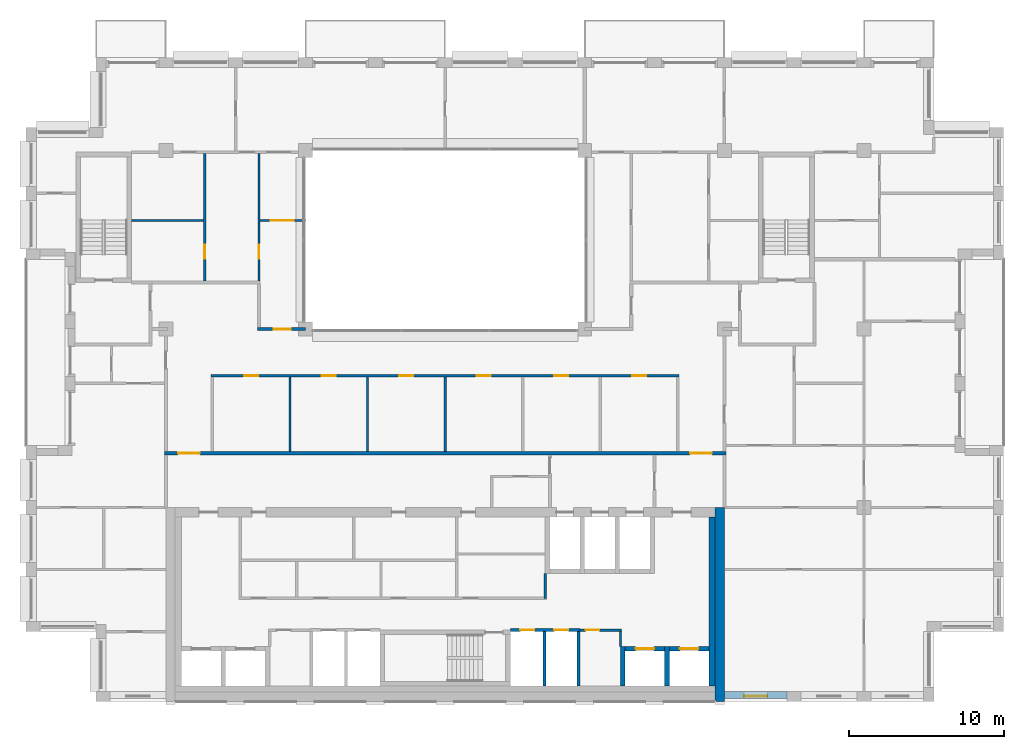
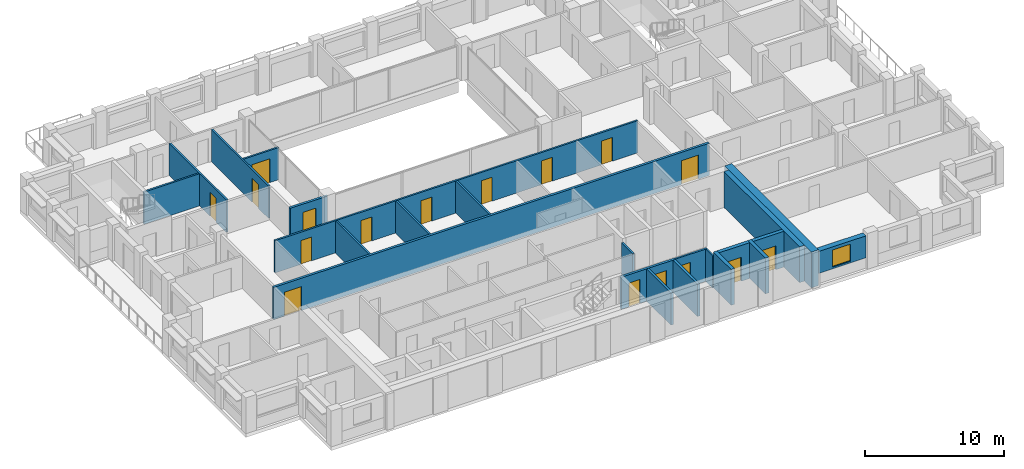
# One storey, part 10 of 15: 23 walls, 17 doors, 1 window, 18 openings.
"""IFC4 building model written with IfcOpenShell, lengths in metres."""

from ifc_helpers import new_model, si_unit, direction, frame, frame_2d, origin, place, context, subcontext, project, spatial, rectangle, extrude, material, layer, layer_set, type_object, element, fill, save


model = new_model("IFC4")

# Units and contexts
model_context = context("Model", 3, precision=1e-05, world=origin(), true_north=direction((0.0, 1.0)))
body_context = subcontext(model_context, "Body", "Model", "MODEL_VIEW")
ifc_project = project(units=[si_unit("LENGTHUNIT", "METRE"), si_unit("AREAUNIT", "SQUARE_METRE"), si_unit("VOLUMEUNIT", "CUBIC_METRE"), si_unit("PLANEANGLEUNIT", "RADIAN"), si_unit("MASSUNIT", "GRAM", prefix="KILO")], contexts=[model_context])

# Site, building, storey
site_placement = place(None, origin())
site = spatial("IfcSite", under=ifc_project, at=site_placement, CompositionType="ELEMENT")
building_placement = place(site_placement, origin())
building = spatial("IfcBuilding", under=site, at=building_placement, Name="Brigalow Station Residences", CompositionType="ELEMENT")
storey_placement = place(building_placement, frame((0.0, 0.0, 207.449951171875)))
storey = spatial("IfcBuildingStorey", under=building, at=storey_placement, Name="L59", CompositionType="ELEMENT", Elevation=207.449951171875)

# Wall, opening, window
ifc_material_1 = material(Name="Clay brick masonry", Category="masonry")
ifc_layer_1 = layer(ifc_material_1, 0.449951171875)
ifc_layer_set_1 = layer_set([ifc_layer_1], Name="BRICK INFILL WALL 450")
wall_type_1 = type_object("IfcWallType", Name="BRICK INFILL WALL 450", PredefinedType="SOLIDWALL", material=ifc_layer_set_1)
wall_1_placement = place(storey_placement, frame((54.0, 0.425048828125, 0.900146484375), z_axis=(0.0, 0.0, 1.0), x_axis=(1.0, 0.0, 0.0)))
wall_1 = element("IfcWall", 1, at=wall_1_placement, inside=storey, type_object=wall_type_1, Name="L59/ewall/W-L59-3", PredefinedType="SOLIDWALL", context=body_context, shape_type="SweptSolid", body=[
    extrude(rectangle(XDim=4.050048828125, YDim=0.449951171875, at=frame_2d((2.02490234375, 0.0))), origin(), (0.0, 0.0, 1.0), 1.929931640625),
])
opening_1_placement = place(wall_1_placement, frame((1.27490234375, 0.0, 0.14990234375)))
opening_1 = element("IfcOpeningElement", 2, at=opening_1_placement, cuts=wall_1, Name="Opening WT-1", PredefinedType="OPENING", context=body_context, shape_type="SweptSolid", body=[
    extrude(rectangle(XDim=1.5, YDim=1.5, at=frame_2d((0.75, 0.75))), frame((0.0, 0.23486328125, 0.0), z_axis=(0.0, -1.0, 0.0), x_axis=(1.0, 0.0, 0.0)), (0.0, 0.0, 1.0), 0.469970703125),
])
ifc_material_2 = material(Name="Anodised aluminium frame with double glazing", Category="aluminium")
window_type = type_object("IfcWindowType", Name="WINDOW 1500x1500", PartitioningType="SINGLE_PANEL", PredefinedType="WINDOW", material=ifc_material_2)
window_placement = place(opening_1_placement, origin())
window = element("IfcWindow", 3, at=window_placement, inside=storey, type_object=window_type, Name="L59/window/W-L59-3", OverallHeight=1.5, OverallWidth=1.5, PartitioningType="SINGLE_PANEL", PredefinedType="WINDOW", context=body_context, shape_type="SweptSolid", body=[
    extrude(rectangle(XDim=1.5, YDim=1.5, at=frame_2d((0.75, 0.75))), frame((0.0, -0.06494140625, 0.0), z_axis=(0.0, -1.0, 0.0), x_axis=(1.0, 0.0, 0.0)), (0.0, 0.0, 1.0), 0.06005859375),
])
fill(opening_1, window)

# Wall, opening, door
ifc_material_3 = material(Name="Concrete C50", Category="concrete")
ifc_layer_2 = layer(ifc_material_3, 0.300048828125)
ifc_layer_set_2 = layer_set([ifc_layer_2], Name="CORE SHEAR WALL 300 C50")
wall_type_2 = type_object("IfcWallType", Name="CORE SHEAR WALL 300 C50", PredefinedType="SHEAR", material=ifc_layer_set_2)
wall_2_placement = place(storey_placement, frame((47.60009765625, 3.39990234375, 0.0), z_axis=(0.0, 0.0, 1.0), x_axis=(1.0, 0.0, 0.0)))
wall_2 = element("IfcWall", 4, at=wall_2_placement, inside=storey, type_object=wall_type_2, Name="CORE WALL SH-C3-N L59", PredefinedType="SHEAR", context=body_context, shape_type="SweptSolid", body=[
    extrude(rectangle(XDim=2.5498046875, YDim=0.300048828125, at=frame_2d((1.27490234375, 0.0))), origin(), (0.0, 0.0, 1.0), 3.150146484375),
])
opening_2_placement = place(wall_2_placement, frame((0.675048828125, 0.0, 0.0)))
opening_2 = element("IfcOpeningElement", 5, at=opening_2_placement, cuts=wall_2, Name="Opening LD-LB3", PredefinedType="OPENING", context=body_context, shape_type="SweptSolid", body=[
    extrude(rectangle(XDim=1.199951171875, YDim=2.10009765625, at=frame_2d((0.60009765625, 1.050048828125))), frame((0.0, 0.16015625, 0.0), z_axis=(0.0, -1.0, 0.0), x_axis=(1.0, 0.0, 0.0)), (0.0, 0.0, 1.0), 0.320068359375),
])
ifc_material_4 = material(Name="Stainless steel sliding door leaves", Category="steel")
door_type_1 = type_object("IfcDoorType", Name="LIFT LANDING DOOR 1200 x 2100", OperationType="DOUBLE_DOOR_SLIDING", PredefinedType="DOOR", material=ifc_material_4)
door_1_placement = place(opening_2_placement, origin())
door_1 = element("IfcDoor", 6, at=door_1_placement, inside=storey, type_object=door_type_1, Name="LANDING DOOR LB3", OperationType="DOUBLE_DOOR_SLIDING", OverallHeight=2.10009765625, OverallWidth=1.199951171875, PredefinedType="DOOR", context=body_context, shape_type="SweptSolid", body=[
    extrude(rectangle(XDim=1.199951171875, YDim=2.10009765625, at=frame_2d((0.60009765625, 1.050048828125))), frame((0.0, 0.02490234375, 0.0), z_axis=(0.0, -1.0, 0.0), x_axis=(1.0, 0.0, 0.0)), (0.0, 0.0, 1.0), 0.050048828125),
])
fill(opening_2, door_1)

# Wall
wall_3_placement = place(storey_placement, frame((47.449951171875, 1.0, 0.0), z_axis=(0.0, 0.0, 1.0), x_axis=(0.0, 1.0, 0.0)))
element("IfcWall", 7, at=wall_3_placement, inside=storey, type_object=wall_type_2, Name="CORE WALL SH-C3-W L59", PredefinedType="SHEAR", context=body_context, shape_type="SweptSolid", body=[
    extrude(rectangle(XDim=2.550048828125, YDim=0.300048828125, at=frame_2d((1.27490234375, 0.0))), origin(), (0.0, 0.0, 1.0), 3.150146484375),
])

# Wall, opening, door
wall_4_placement = place(storey_placement, frame((50.449951171875, 3.39990234375, 0.0), z_axis=(0.0, 0.0, 1.0), x_axis=(1.0, 0.0, 0.0)))
wall_4 = element("IfcWall", 8, at=wall_4_placement, inside=storey, type_object=wall_type_2, Name="CORE WALL SH-C4-N L59", PredefinedType="SHEAR", context=body_context, shape_type="SweptSolid", body=[
    extrude(rectangle(XDim=2.550048828125, YDim=0.300048828125, at=frame_2d((1.27490234375, 0.0))), origin(), (0.0, 0.0, 1.0), 3.150146484375),
])
opening_3_placement = place(wall_4_placement, frame((0.675048828125, 0.0, 0.0)))
opening_3 = element("IfcOpeningElement", 9, at=opening_3_placement, cuts=wall_4, Name="Opening LD-LB4", PredefinedType="OPENING", context=body_context, shape_type="SweptSolid", body=[
    extrude(rectangle(XDim=1.199951171875, YDim=2.10009765625, at=frame_2d((0.60009765625, 1.050048828125))), frame((0.0, 0.16015625, 0.0), z_axis=(0.0, -1.0, 0.0), x_axis=(1.0, 0.0, 0.0)), (0.0, 0.0, 1.0), 0.320068359375),
])
door_2_placement = place(opening_3_placement, origin())
door_2 = element("IfcDoor", 10, at=door_2_placement, inside=storey, type_object=door_type_1, Name="LANDING DOOR LB4", OperationType="DOUBLE_DOOR_SLIDING", OverallHeight=2.10009765625, OverallWidth=1.199951171875, PredefinedType="DOOR", context=body_context, shape_type="SweptSolid", body=[
    extrude(rectangle(XDim=1.199951171875, YDim=2.10009765625, at=frame_2d((0.60009765625, 1.050048828125))), frame((0.0, 0.02490234375, 0.0), z_axis=(0.0, -1.0, 0.0), x_axis=(1.0, 0.0, 0.0)), (0.0, 0.0, 1.0), 0.050048828125),
])
fill(opening_3, door_2)

# Walls
wall_5_placement = place(storey_placement, frame((50.300048828125, 1.0, 0.0), z_axis=(0.0, 0.0, 1.0), x_axis=(0.0, 1.0, 0.0)))
element("IfcWall", 11, at=wall_5_placement, inside=storey, type_object=wall_type_2, Name="CORE WALL SH-C4-W L59", PredefinedType="SHEAR", context=body_context, shape_type="SweptSolid", body=[
    extrude(rectangle(XDim=2.550048828125, YDim=0.300048828125, at=frame_2d((1.27490234375, 0.0))), origin(), (0.0, 0.0, 1.0), 3.150146484375),
])
ifc_material_5 = material(Name="Concrete C50", Category="concrete")
ifc_layer_3 = layer(ifc_material_5, 0.39990234375)
ifc_layer_set_3 = layer_set([ifc_layer_3], Name="CORE SHEAR WALL 400 C50")
wall_type_3 = type_object("IfcWallType", Name="CORE SHEAR WALL 400 C50", PredefinedType="SHEAR", material=ifc_layer_set_3)
wall_6_placement = place(storey_placement, frame((53.199951171875, 1.0, 0.0), z_axis=(0.0, 0.0, 1.0), x_axis=(0.0, 1.0, 0.0)))
element("IfcWall", 12, at=wall_6_placement, inside=storey, type_object=wall_type_3, Name="CORE WALL LIN-E L59", PredefinedType="SHEAR", context=body_context, shape_type="SweptSolid", body=[
    extrude(rectangle(XDim=10.89990234375, YDim=0.39990234375, at=frame_2d((5.449951171875, 0.0))), origin(), (0.0, 0.0, 1.0), 3.150146484375),
])
ifc_material_6 = material(Name="Concrete C50", Category="concrete")
ifc_layer_4 = layer(ifc_material_6, 0.60009765625)
ifc_layer_set_4 = layer_set([ifc_layer_4], Name="CORE SHEAR WALL 600 C50")
wall_type_4 = type_object("IfcWallType", Name="CORE SHEAR WALL 600 C50", PredefinedType="SHEAR", material=ifc_layer_set_4)
wall_7_placement = place(storey_placement, frame((53.699951171875, 0.0, 0.0), z_axis=(0.0, 0.0, 1.0), x_axis=(0.0, 1.0, 0.0)))
element("IfcWall", 13, at=wall_7_placement, inside=storey, type_object=wall_type_4, Name="CORE WALL OUT-E L59", PredefinedType="SHEAR", context=body_context, shape_type="SweptSolid", body=[
    extrude(rectangle(XDim=12.5, YDim=0.60009765625, at=frame_2d((6.25, 0.0))), origin(), (0.0, 0.0, 1.0), 3.150146484375),
])

# Wall, openings, doors
ifc_material_7 = material(Name="Concrete blockwork", Category="masonry")
ifc_layer_5 = layer(ifc_material_7, 0.199951171875)
ifc_layer_set_5 = layer_set([ifc_layer_5], Name="FIRE RATED CORE PARTITION 200")
wall_type_5 = type_object("IfcWallType", Name="FIRE RATED CORE PARTITION 200", PredefinedType="PARTITIONING", material=ifc_layer_set_5)
wall_8_placement = place(storey_placement, frame((40.199951171875, 4.60009765625, 0.0), z_axis=(0.0, 0.0, 1.0), x_axis=(1.0, 0.0, 0.0)))
wall_8 = element("IfcWall", 14, at=wall_8_placement, inside=storey, type_object=wall_type_5, Name="PW-5018", PredefinedType="PARTITIONING", context=body_context, shape_type="SweptSolid", body=[
    extrude(rectangle(XDim=4.5, YDim=0.199951171875, at=frame_2d((2.25, 0.0))), origin(), (0.0, 0.0, 1.0), 2.830078125),
])
opening_4_placement = place(wall_8_placement, frame((0.64990234375, 0.0, 0.0)))
opening_4 = element("IfcOpeningElement", 15, at=opening_4_placement, cuts=wall_8, Name="Opening D-5009", PredefinedType="OPENING", context=body_context, shape_type="SweptSolid", body=[
    extrude(rectangle(XDim=0.89990234375, YDim=2.10009765625, at=frame_2d((0.449951171875, 1.050048828125))), frame((0.0, 0.10986328125, 0.0), z_axis=(0.0, -1.0, 0.0), x_axis=(1.0, 0.0, 0.0)), (0.0, 0.0, 1.0), 0.219970703125),
])
opening_5_placement = place(wall_8_placement, frame((2.85009765625, 0.0, 0.0)))
opening_5 = element("IfcOpeningElement", 16, at=opening_5_placement, cuts=wall_8, Name="Opening D-5010", PredefinedType="OPENING", context=body_context, shape_type="SweptSolid", body=[
    extrude(rectangle(XDim=0.89990234375, YDim=2.10009765625, at=frame_2d((0.449951171875, 1.050048828125))), frame((0.0, 0.10986328125, 0.0), z_axis=(0.0, -1.0, 0.0), x_axis=(1.0, 0.0, 0.0)), (0.0, 0.0, 1.0), 0.219970703125),
])
ifc_material_8 = material(Name="Steel fire door leaf in steel frame", Category="steel")
door_type_2 = type_object("IfcDoorType", Name="RISER ACCESS DOOR 900 x 2100 FD120", OperationType="SINGLE_SWING_LEFT", PredefinedType="DOOR", material=ifc_material_8)
door_3_placement = place(opening_4_placement, frame((0.89990234375, 0.0, 0.0), z_axis=(0.0, 0.0, 1.0), x_axis=(-1.0, 0.0, 0.0)))
door_3 = element("IfcDoor", 17, at=door_3_placement, inside=storey, type_object=door_type_2, Name="D-5009", OperationType="SINGLE_SWING_LEFT", OverallHeight=2.10009765625, OverallWidth=0.89990234375, PredefinedType="DOOR", context=body_context, shape_type="SweptSolid", body=[
    extrude(rectangle(XDim=0.89990234375, YDim=2.10009765625, at=frame_2d((0.449951171875, 1.050048828125))), frame((0.0, 0.02490234375, 0.0), z_axis=(0.0, -1.0, 0.0), x_axis=(1.0, 0.0, 0.0)), (0.0, 0.0, 1.0), 0.050048828125),
])
fill(opening_4, door_3)
door_4_placement = place(opening_5_placement, frame((0.89990234375, 0.0, 0.0), z_axis=(0.0, 0.0, 1.0), x_axis=(-1.0, 0.0, 0.0)))
door_4 = element("IfcDoor", 18, at=door_4_placement, inside=storey, type_object=door_type_2, Name="D-5010", OperationType="SINGLE_SWING_LEFT", OverallHeight=2.10009765625, OverallWidth=0.89990234375, PredefinedType="DOOR", context=body_context, shape_type="SweptSolid", body=[
    extrude(rectangle(XDim=0.89990234375, YDim=2.10009765625, at=frame_2d((0.449951171875, 1.050048828125))), frame((0.0, 0.02490234375, 0.0), z_axis=(0.0, -1.0, 0.0), x_axis=(1.0, 0.0, 0.0)), (0.0, 0.0, 1.0), 0.050048828125),
])
fill(opening_5, door_4)

# Walls
for number, where, z_axis, x_axis, name in (
    (19, (42.39990234375, 1.0, 0.0), (0.0, 0.0, 1.0), (0.0, 1.0, 0.0), "PW-5007"),
    (20, (44.60009765625, 1.0, 0.0), (0.0, 0.0, 1.0), (0.0, 1.0, 0.0), "PW-5008"),
):
    element("IfcWall", number, at=place(storey_placement, frame(where, z_axis=z_axis, x_axis=x_axis)), inside=storey, type_object=wall_type_5, Name=name, PredefinedType="PARTITIONING", context=body_context, shape_type="SweptSolid", body=[
        extrude(rectangle(XDim=3.5, YDim=0.199951171875, at=frame_2d((1.75, 0.0))), origin(), (0.0, 0.0, 1.0), 2.830078125),
    ])

# Wall, openings, doors
ifc_material_9 = material(Name="Plasterboard on steel stud partition", Category="steel")
ifc_layer_6 = layer(ifc_material_9, 0.14990234375)
ifc_layer_set_6 = layer_set([ifc_layer_6], Name="FLAT PARTITION 150")
wall_type_6 = type_object("IfcWallType", Name="FLAT PARTITION 150", PredefinedType="PARTITIONING", material=ifc_layer_set_6)
wall_9_placement = place(storey_placement, frame((20.925048828125, 21.0, 0.0), z_axis=(0.0, 0.0, 1.0), x_axis=(1.0, 0.0, 0.0)))
wall_9 = element("IfcWall", 21, at=wall_9_placement, inside=storey, type_object=wall_type_6, Name="PW-4B05", PredefinedType="PARTITIONING", context=body_context, shape_type="SweptSolid", body=[
    extrude(rectangle(XDim=30.14990234375, YDim=0.14990234375, at=frame_2d((15.074951171875, 0.0))), origin(), (0.0, 0.0, 1.0), 2.830078125),
])
opening_6_placement = place(wall_9_placement, frame((2.125, 0.0, 0.0)))
opening_6 = element("IfcOpeningElement", 22, at=opening_6_placement, cuts=wall_9, Name="Opening D-4B42", PredefinedType="OPENING", context=body_context, shape_type="SweptSolid", body=[
    extrude(rectangle(XDim=0.89990234375, YDim=2.10009765625, at=frame_2d((0.449951171875, 1.050048828125))), frame((0.0, 0.0849609375, 0.0), z_axis=(0.0, -1.0, 0.0), x_axis=(1.0, 0.0, 0.0)), (0.0, 0.0, 1.0), 0.169921875),
])
opening_7_placement = place(wall_9_placement, frame((7.125, 0.0, 0.0)))
opening_7 = element("IfcOpeningElement", 23, at=opening_7_placement, cuts=wall_9, Name="Opening D-4B43", PredefinedType="OPENING", context=body_context, shape_type="SweptSolid", body=[
    extrude(rectangle(XDim=0.89990234375, YDim=2.10009765625, at=frame_2d((0.449951171875, 1.050048828125))), frame((0.0, 0.0849609375, 0.0), z_axis=(0.0, -1.0, 0.0), x_axis=(1.0, 0.0, 0.0)), (0.0, 0.0, 1.0), 0.169921875),
])
opening_8_placement = place(wall_9_placement, frame((12.125, 0.0, 0.0)))
opening_8 = element("IfcOpeningElement", 24, at=opening_8_placement, cuts=wall_9, Name="Opening D-4B44", PredefinedType="OPENING", context=body_context, shape_type="SweptSolid", body=[
    extrude(rectangle(XDim=0.89990234375, YDim=2.10009765625, at=frame_2d((0.449951171875, 1.050048828125))), frame((0.0, 0.0849609375, 0.0), z_axis=(0.0, -1.0, 0.0), x_axis=(1.0, 0.0, 0.0)), (0.0, 0.0, 1.0), 0.169921875),
])
opening_9_placement = place(wall_9_placement, frame((17.125, 0.0, 0.0)))
opening_9 = element("IfcOpeningElement", 25, at=opening_9_placement, cuts=wall_9, Name="Opening D-4B45", PredefinedType="OPENING", context=body_context, shape_type="SweptSolid", body=[
    extrude(rectangle(XDim=0.89990234375, YDim=2.10009765625, at=frame_2d((0.449951171875, 1.050048828125))), frame((0.0, 0.0849609375, 0.0), z_axis=(0.0, -1.0, 0.0), x_axis=(1.0, 0.0, 0.0)), (0.0, 0.0, 1.0), 0.169921875),
])
opening_10_placement = place(wall_9_placement, frame((22.125, 0.0, 0.0)))
opening_10 = element("IfcOpeningElement", 26, at=opening_10_placement, cuts=wall_9, Name="Opening D-4B46", PredefinedType="OPENING", context=body_context, shape_type="SweptSolid", body=[
    extrude(rectangle(XDim=0.89990234375, YDim=2.10009765625, at=frame_2d((0.449951171875, 1.050048828125))), frame((0.0, 0.0849609375, 0.0), z_axis=(0.0, -1.0, 0.0), x_axis=(1.0, 0.0, 0.0)), (0.0, 0.0, 1.0), 0.169921875),
])
opening_11_placement = place(wall_9_placement, frame((27.125, 0.0, 0.0)))
opening_11 = element("IfcOpeningElement", 27, at=opening_11_placement, cuts=wall_9, Name="Opening D-4B47", PredefinedType="OPENING", context=body_context, shape_type="SweptSolid", body=[
    extrude(rectangle(XDim=0.89990234375, YDim=2.10009765625, at=frame_2d((0.449951171875, 1.050048828125))), frame((0.0, 0.0849609375, 0.0), z_axis=(0.0, -1.0, 0.0), x_axis=(1.0, 0.0, 0.0)), (0.0, 0.0, 1.0), 0.169921875),
])
ifc_material_10 = material(Name="Solid-core timber door leaf", Category="wood")
door_type_3 = type_object("IfcDoorType", Name="INTERNAL DOOR 900 x 2100", OperationType="SINGLE_SWING_LEFT", PredefinedType="DOOR", material=ifc_material_10)
door_5_placement = place(opening_6_placement, frame((0.89990234375, 0.0, 0.0), z_axis=(0.0, 0.0, 1.0), x_axis=(-1.0, 0.0, 0.0)))
door_5 = element("IfcDoor", 28, at=door_5_placement, inside=storey, type_object=door_type_3, Name="D-4B42", OperationType="SINGLE_SWING_LEFT", OverallHeight=2.10009765625, OverallWidth=0.89990234375, PredefinedType="DOOR", context=body_context, shape_type="SweptSolid", body=[
    extrude(rectangle(XDim=0.89990234375, YDim=2.10009765625, at=frame_2d((0.449951171875, 1.050048828125))), frame((0.0, 0.02490234375, 0.0), z_axis=(0.0, -1.0, 0.0), x_axis=(1.0, 0.0, 0.0)), (0.0, 0.0, 1.0), 0.050048828125),
])
fill(opening_6, door_5)
door_6_placement = place(opening_7_placement, frame((0.89990234375, 0.0, 0.0), z_axis=(0.0, 0.0, 1.0), x_axis=(-1.0, 0.0, 0.0)))
door_6 = element("IfcDoor", 29, at=door_6_placement, inside=storey, type_object=door_type_3, Name="D-4B43", OperationType="SINGLE_SWING_LEFT", OverallHeight=2.10009765625, OverallWidth=0.89990234375, PredefinedType="DOOR", context=body_context, shape_type="SweptSolid", body=[
    extrude(rectangle(XDim=0.89990234375, YDim=2.10009765625, at=frame_2d((0.449951171875, 1.050048828125))), frame((0.0, 0.02490234375, 0.0), z_axis=(0.0, -1.0, 0.0), x_axis=(1.0, 0.0, 0.0)), (0.0, 0.0, 1.0), 0.050048828125),
])
fill(opening_7, door_6)
door_7_placement = place(opening_8_placement, frame((0.89990234375, 0.0, 0.0), z_axis=(0.0, 0.0, 1.0), x_axis=(-1.0, 0.0, 0.0)))
door_7 = element("IfcDoor", 30, at=door_7_placement, inside=storey, type_object=door_type_3, Name="D-4B44", OperationType="SINGLE_SWING_LEFT", OverallHeight=2.10009765625, OverallWidth=0.89990234375, PredefinedType="DOOR", context=body_context, shape_type="SweptSolid", body=[
    extrude(rectangle(XDim=0.89990234375, YDim=2.10009765625, at=frame_2d((0.449951171875, 1.050048828125))), frame((0.0, 0.02490234375, 0.0), z_axis=(0.0, -1.0, 0.0), x_axis=(1.0, 0.0, 0.0)), (0.0, 0.0, 1.0), 0.050048828125),
])
fill(opening_8, door_7)
door_8_placement = place(opening_9_placement, frame((0.89990234375, 0.0, 0.0), z_axis=(0.0, 0.0, 1.0), x_axis=(-1.0, 0.0, 0.0)))
door_8 = element("IfcDoor", 31, at=door_8_placement, inside=storey, type_object=door_type_3, Name="D-4B45", OperationType="SINGLE_SWING_RIGHT", OverallHeight=2.10009765625, OverallWidth=0.89990234375, PredefinedType="DOOR", context=body_context, shape_type="SweptSolid", body=[
    extrude(rectangle(XDim=0.89990234375, YDim=2.10009765625, at=frame_2d((0.449951171875, 1.050048828125))), frame((0.0, 0.02490234375, 0.0), z_axis=(0.0, -1.0, 0.0), x_axis=(1.0, 0.0, 0.0)), (0.0, 0.0, 1.0), 0.050048828125),
])
fill(opening_9, door_8)
door_9_placement = place(opening_10_placement, frame((0.89990234375, 0.0, 0.0), z_axis=(0.0, 0.0, 1.0), x_axis=(-1.0, 0.0, 0.0)))
door_9 = element("IfcDoor", 32, at=door_9_placement, inside=storey, type_object=door_type_3, Name="D-4B46", OperationType="SINGLE_SWING_RIGHT", OverallHeight=2.10009765625, OverallWidth=0.89990234375, PredefinedType="DOOR", context=body_context, shape_type="SweptSolid", body=[
    extrude(rectangle(XDim=0.89990234375, YDim=2.10009765625, at=frame_2d((0.449951171875, 1.050048828125))), frame((0.0, 0.02490234375, 0.0), z_axis=(0.0, -1.0, 0.0), x_axis=(1.0, 0.0, 0.0)), (0.0, 0.0, 1.0), 0.050048828125),
])
fill(opening_10, door_9)
door_10_placement = place(opening_11_placement, frame((0.89990234375, 0.0, 0.0), z_axis=(0.0, 0.0, 1.0), x_axis=(-1.0, 0.0, 0.0)))
door_10 = element("IfcDoor", 33, at=door_10_placement, inside=storey, type_object=door_type_3, Name="D-4B47", OperationType="SINGLE_SWING_RIGHT", OverallHeight=2.10009765625, OverallWidth=0.89990234375, PredefinedType="DOOR", context=body_context, shape_type="SweptSolid", body=[
    extrude(rectangle(XDim=0.89990234375, YDim=2.10009765625, at=frame_2d((0.449951171875, 1.050048828125))), frame((0.0, 0.02490234375, 0.0), z_axis=(0.0, -1.0, 0.0), x_axis=(1.0, 0.0, 0.0)), (0.0, 0.0, 1.0), 0.050048828125),
])
fill(opening_11, door_10)

# Wall
wall_10_placement = place(storey_placement, frame((15.800048828125, 31.0, 0.0), z_axis=(0.0, 0.0, 1.0), x_axis=(1.0, 0.0, 0.0)))
element("IfcWall", 34, at=wall_10_placement, inside=storey, type_object=wall_type_6, Name="PW-4B15", PredefinedType="PARTITIONING", context=body_context, shape_type="SweptSolid", body=[
    extrude(rectangle(XDim=4.625, YDim=0.14990234375, at=frame_2d((2.3125, 0.0))), origin(), (0.0, 0.0, 1.0), 2.830078125),
])

# Wall, opening, door
wall_11_placement = place(storey_placement, frame((24.074951171875, 31.0, 0.0), z_axis=(0.0, 0.0, 1.0), x_axis=(1.0, 0.0, 0.0)))
wall_11 = element("IfcWall", 35, at=wall_11_placement, inside=storey, type_object=wall_type_6, Name="PW-4B16", PredefinedType="PARTITIONING", context=body_context, shape_type="SweptSolid", body=[
    extrude(rectangle(XDim=2.925048828125, YDim=0.14990234375, at=frame_2d((1.46240234375, 0.0))), origin(), (0.0, 0.0, 1.0), 2.830078125),
])
opening_12_placement = place(wall_11_placement, frame((0.675048828125, 0.0, 0.0)))
opening_12 = element("IfcOpeningElement", 36, at=opening_12_placement, cuts=wall_11, Name="Opening D-4B11", PredefinedType="OPENING", context=body_context, shape_type="SweptSolid", body=[
    extrude(rectangle(XDim=1.5, YDim=2.10009765625, at=frame_2d((0.75, 1.050048828125))), frame((0.0, 0.0849609375, 0.0), z_axis=(0.0, -1.0, 0.0), x_axis=(1.0, 0.0, 0.0)), (0.0, 0.0, 1.0), 0.169921875),
])
ifc_material_11 = material(Name="Solid-core timber door leaf", Category="wood")
door_type_4 = type_object("IfcDoorType", Name="INTERNAL DOUBLE DOOR 1500 x 2100", OperationType="DOUBLE_DOOR_SINGLE_SWING", PredefinedType="DOOR", material=ifc_material_11)
door_11_placement = place(opening_12_placement, frame((1.5, 0.0, 0.0), z_axis=(0.0, 0.0, 1.0), x_axis=(-1.0, 0.0, 0.0)))
door_11 = element("IfcDoor", 37, at=door_11_placement, inside=storey, type_object=door_type_4, Name="D-4B11", OperationType="DOUBLE_DOOR_SINGLE_SWING", OverallHeight=2.10009765625, OverallWidth=1.5, PredefinedType="DOOR", context=body_context, shape_type="SweptSolid", body=[
    extrude(rectangle(XDim=1.5, YDim=2.10009765625, at=frame_2d((0.75, 1.050048828125))), frame((0.0, 0.02490234375, 0.0), z_axis=(0.0, -1.0, 0.0), x_axis=(1.0, 0.0, 0.0)), (0.0, 0.0, 1.0), 0.050048828125),
])
fill(opening_12, door_11)

wall_12_placement = place(storey_placement, frame((24.0, 27.10009765625, 0.0), z_axis=(0.0, 0.0, 1.0), x_axis=(0.0, 1.0, 0.0)))
wall_12 = element("IfcWall", 38, at=wall_12_placement, inside=storey, type_object=wall_type_6, Name="PW-4B33", PredefinedType="PARTITIONING", context=body_context, shape_type="SweptSolid", body=[
    extrude(rectangle(XDim=8.224853515625, YDim=0.14990234375, at=frame_2d((4.1123046875, 0.0))), origin(), (0.0, 0.0, 1.0), 2.830078125),
])
opening_13_placement = place(wall_12_placement, frame((1.449951171875, 0.0, 0.0)))
opening_13 = element("IfcOpeningElement", 39, at=opening_13_placement, cuts=wall_12, Name="Opening D-4B12", PredefinedType="OPENING", context=body_context, shape_type="SweptSolid", body=[
    extrude(rectangle(XDim=0.89990234375, YDim=2.10009765625, at=frame_2d((0.449951171875, 1.050048828125))), frame((0.0, 0.0849609375, 0.0), z_axis=(0.0, -1.0, 0.0), x_axis=(1.0, 0.0, 0.0)), (0.0, 0.0, 1.0), 0.169921875),
])
door_12_placement = place(opening_13_placement, frame((0.89990234375, 0.0, 0.0), z_axis=(0.0, 0.0, 1.0), x_axis=(-1.0, 0.0, 0.0)))
door_12 = element("IfcDoor", 40, at=door_12_placement, inside=storey, type_object=door_type_3, Name="D-4B12", OperationType="SINGLE_SWING_LEFT", OverallHeight=2.10009765625, OverallWidth=0.89990234375, PredefinedType="DOOR", context=body_context, shape_type="SweptSolid", body=[
    extrude(rectangle(XDim=0.89990234375, YDim=2.10009765625, at=frame_2d((0.449951171875, 1.050048828125))), frame((0.0, 0.02490234375, 0.0), z_axis=(0.0, -1.0, 0.0), x_axis=(1.0, 0.0, 0.0)), (0.0, 0.0, 1.0), 0.050048828125),
])
fill(opening_13, door_12)

wall_13_placement = place(storey_placement, frame((20.5, 27.10009765625, 0.0), z_axis=(0.0, 0.0, 1.0), x_axis=(0.0, 1.0, 0.0)))
wall_13 = element("IfcWall", 41, at=wall_13_placement, inside=storey, type_object=wall_type_6, Name="PW-4B39", PredefinedType="PARTITIONING", context=body_context, shape_type="SweptSolid", body=[
    extrude(rectangle(XDim=8.224853515625, YDim=0.14990234375, at=frame_2d((4.1123046875, 0.0))), origin(), (0.0, 0.0, 1.0), 2.830078125),
])
opening_14_placement = place(wall_13_placement, frame((1.449951171875, 0.0, 0.0)))
opening_14 = element("IfcOpeningElement", 42, at=opening_14_placement, cuts=wall_13, Name="Opening D-4B13", PredefinedType="OPENING", context=body_context, shape_type="SweptSolid", body=[
    extrude(rectangle(XDim=0.89990234375, YDim=2.10009765625, at=frame_2d((0.449951171875, 1.050048828125))), frame((0.0, 0.0849609375, 0.0), z_axis=(0.0, -1.0, 0.0), x_axis=(1.0, 0.0, 0.0)), (0.0, 0.0, 1.0), 0.169921875),
])
door_13_placement = place(opening_14_placement, origin())
door_13 = element("IfcDoor", 43, at=door_13_placement, inside=storey, type_object=door_type_3, Name="D-4B13", OperationType="SINGLE_SWING_LEFT", OverallHeight=2.10009765625, OverallWidth=0.89990234375, PredefinedType="DOOR", context=body_context, shape_type="SweptSolid", body=[
    extrude(rectangle(XDim=0.89990234375, YDim=2.10009765625, at=frame_2d((0.449951171875, 1.050048828125))), frame((0.0, 0.02490234375, 0.0), z_axis=(0.0, -1.0, 0.0), x_axis=(1.0, 0.0, 0.0)), (0.0, 0.0, 1.0), 0.050048828125),
])
fill(opening_14, door_13)

# Walls
for number, where, z_axis, x_axis, name in (
    (44, (36.0, 16.10009765625, 0.0), (0.0, 0.0, 1.0), (0.0, 1.0, 0.0), "PW-4B41"),
    (45, (26.0, 16.10009765625, 0.0), (0.0, 0.0, 1.0), (0.0, 1.0, 0.0), "PW-4B52"),
    (46, (31.0, 16.10009765625, 0.0), (0.0, 0.0, 1.0), (0.0, 1.0, 0.0), "PW-4B53"),
):
    element("IfcWall", number, at=place(storey_placement, frame(where, z_axis=z_axis, x_axis=x_axis)), inside=storey, type_object=wall_type_6, Name=name, PredefinedType="PARTITIONING", context=body_context, shape_type="SweptSolid", body=[
        extrude(rectangle(XDim=4.824951171875, YDim=0.14990234375, at=frame_2d((2.41259765625, 0.0))), origin(), (0.0, 0.0, 1.0), 2.830078125),
    ])

# Wall, opening, door
ifc_material_12 = material(Name="Plasterboard on steel stud partition", Category="steel")
ifc_layer_7 = layer(ifc_material_12, 0.199951171875)
ifc_layer_set_7 = layer_set([ifc_layer_7], Name="PARTY AND CORRIDOR WALL 200")
wall_type_7 = type_object("IfcWallType", Name="PARTY AND CORRIDOR WALL 200", PredefinedType="PARTITIONING", material=ifc_layer_set_7)
wall_14_placement = place(storey_placement, frame((23.89990234375, 24.0, 0.0), z_axis=(0.0, 0.0, 1.0), x_axis=(1.0, 0.0, 0.0)))
wall_14 = element("IfcWall", 47, at=wall_14_placement, inside=storey, type_object=wall_type_7, Name="PW-4B02", PredefinedType="PARTITIONING", context=body_context, shape_type="SweptSolid", body=[
    extrude(rectangle(XDim=3.10009765625, YDim=0.199951171875, at=frame_2d((1.550048828125, 0.0))), origin(), (0.0, 0.0, 1.0), 2.830078125),
])
opening_15_placement = place(wall_14_placement, frame((1.050048828125, 0.0, 0.0)))
opening_15 = element("IfcOpeningElement", 48, at=opening_15_placement, cuts=wall_14, Name="Opening D-4B10", PredefinedType="OPENING", context=body_context, shape_type="SweptSolid", body=[
    extrude(rectangle(XDim=1.10009765625, YDim=2.10009765625, at=frame_2d((0.550048828125, 1.050048828125))), frame((0.0, 0.10986328125, 0.0), z_axis=(0.0, -1.0, 0.0), x_axis=(1.0, 0.0, 0.0)), (0.0, 0.0, 1.0), 0.219970703125),
])
ifc_material_13 = material(Name="Solid-core timber door leaf", Category="wood")
door_type_5 = type_object("IfcDoorType", Name="FLAT ENTRANCE DOOR 1100 x 2100 FRL -/60/30", OperationType="SINGLE_SWING_LEFT", PredefinedType="DOOR", material=ifc_material_13)
door_14_placement = place(opening_15_placement, origin())
door_14 = element("IfcDoor", 49, at=door_14_placement, inside=storey, type_object=door_type_5, Name="D-4B10", OperationType="SINGLE_SWING_LEFT", OverallHeight=2.10009765625, OverallWidth=1.10009765625, PredefinedType="DOOR", context=body_context, shape_type="SweptSolid", body=[
    extrude(rectangle(XDim=1.10009765625, YDim=2.10009765625, at=frame_2d((0.550048828125, 1.050048828125))), frame((0.0, 0.02490234375, 0.0), z_axis=(0.0, -1.0, 0.0), x_axis=(1.0, 0.0, 0.0)), (0.0, 0.0, 1.0), 0.050048828125),
])
fill(opening_15, door_14)

# Wall, openings, doors
wall_15_placement = place(storey_placement, frame((17.89990234375, 16.0, 0.0), z_axis=(0.0, 0.0, 1.0), x_axis=(1.0, 0.0, 0.0)))
wall_15 = element("IfcWall", 50, at=wall_15_placement, inside=storey, type_object=wall_type_7, Name="PW-4B27", PredefinedType="PARTITIONING", context=body_context, shape_type="SweptSolid", body=[
    extrude(rectangle(XDim=36.2001953125, YDim=0.199951171875, at=frame_2d((18.10009765625, 0.0))), origin(), (0.0, 0.0, 1.0), 2.830078125),
])
opening_16_placement = place(wall_15_placement, frame((0.89990234375, 0.0, 0.0)))
opening_16 = element("IfcOpeningElement", 51, at=opening_16_placement, cuts=wall_15, Name="Opening D-4B01", PredefinedType="OPENING", context=body_context, shape_type="SweptSolid", body=[
    extrude(rectangle(XDim=1.39990234375, YDim=2.10009765625, at=frame_2d((0.699951171875, 1.050048828125))), frame((0.0, 0.10986328125, 0.0), z_axis=(0.0, -1.0, 0.0), x_axis=(1.0, 0.0, 0.0)), (0.0, 0.0, 1.0), 0.219970703125),
])
opening_17_placement = place(wall_15_placement, frame((33.89990234375, 0.0, 0.0)))
opening_17 = element("IfcOpeningElement", 52, at=opening_17_placement, cuts=wall_15, Name="Opening D-4B02", PredefinedType="OPENING", context=body_context, shape_type="SweptSolid", body=[
    extrude(rectangle(XDim=1.39990234375, YDim=2.10009765625, at=frame_2d((0.699951171875, 1.050048828125))), frame((0.0, 0.10986328125, 0.0), z_axis=(0.0, -1.0, 0.0), x_axis=(1.0, 0.0, 0.0)), (0.0, 0.0, 1.0), 0.219970703125),
])
ifc_material_14 = material(Name="Solid-core timber door leaf", Category="wood")
door_type_6 = type_object("IfcDoorType", Name="CORRIDOR FIRE DOOR 1400 x 2100 FRL -/60/30", OperationType="DOUBLE_DOOR_SINGLE_SWING", PredefinedType="DOOR", material=ifc_material_14)
door_15_placement = place(opening_16_placement, frame((1.39990234375, 0.0, 0.0), z_axis=(0.0, 0.0, 1.0), x_axis=(-1.0, 0.0, 0.0)))
door_15 = element("IfcDoor", 53, at=door_15_placement, inside=storey, type_object=door_type_6, Name="D-4B01", OperationType="DOUBLE_DOOR_SINGLE_SWING", OverallHeight=2.10009765625, OverallWidth=1.39990234375, PredefinedType="DOOR", context=body_context, shape_type="SweptSolid", body=[
    extrude(rectangle(XDim=1.39990234375, YDim=2.10009765625, at=frame_2d((0.699951171875, 1.050048828125))), frame((0.0, 0.02490234375, 0.0), z_axis=(0.0, -1.0, 0.0), x_axis=(1.0, 0.0, 0.0)), (0.0, 0.0, 1.0), 0.050048828125),
])
fill(opening_16, door_15)
door_16_placement = place(opening_17_placement, frame((1.39990234375, 0.0, 0.0), z_axis=(0.0, 0.0, 1.0), x_axis=(-1.0, 0.0, 0.0)))
door_16 = element("IfcDoor", 54, at=door_16_placement, inside=storey, type_object=door_type_6, Name="D-4B02", OperationType="DOUBLE_DOOR_SINGLE_SWING", OverallHeight=2.10009765625, OverallWidth=1.39990234375, PredefinedType="DOOR", context=body_context, shape_type="SweptSolid", body=[
    extrude(rectangle(XDim=1.39990234375, YDim=2.10009765625, at=frame_2d((0.699951171875, 1.050048828125))), frame((0.0, 0.02490234375, 0.0), z_axis=(0.0, -1.0, 0.0), x_axis=(1.0, 0.0, 0.0)), (0.0, 0.0, 1.0), 0.050048828125),
])
fill(opening_17, door_16)

# Wall, opening, door
ifc_material_15 = material(Name="Plasterboard on steel studs", Category="steel")
ifc_layer_8 = layer(ifc_material_15, 0.14990234375)
ifc_layer_set_8 = layer_set([ifc_layer_8], Name="SERVICE ROOM PARTITION 150")
wall_type_8 = type_object("IfcWallType", Name="SERVICE ROOM PARTITION 150", PredefinedType="PARTITIONING", material=ifc_layer_set_8)
wall_16_placement = place(storey_placement, frame((44.699951171875, 4.60009765625, 0.0), z_axis=(0.0, 0.0, 1.0), x_axis=(1.0, 0.0, 0.0)))
wall_16 = element("IfcWall", 55, at=wall_16_placement, inside=storey, type_object=wall_type_8, Name="PW-5156", PredefinedType="PARTITIONING", context=body_context, shape_type="SweptSolid", body=[
    extrude(rectangle(XDim=2.675048828125, YDim=0.14990234375, at=frame_2d((1.33740234375, 0.0))), origin(), (0.0, 0.0, 1.0), 2.830078125),
])
opening_18_placement = place(wall_16_placement, frame((0.35009765625, 0.0, 0.0)))
opening_18 = element("IfcOpeningElement", 56, at=opening_18_placement, cuts=wall_16, Name="Opening D-5026", PredefinedType="OPENING", context=body_context, shape_type="SweptSolid", body=[
    extrude(rectangle(XDim=0.89990234375, YDim=2.10009765625, at=frame_2d((0.449951171875, 1.050048828125))), frame((0.0, 0.0849609375, 0.0), z_axis=(0.0, -1.0, 0.0), x_axis=(1.0, 0.0, 0.0)), (0.0, 0.0, 1.0), 0.169921875),
])
ifc_material_16 = material(Name="Steel door leaf in steel frame", Category="steel")
door_type_7 = type_object("IfcDoorType", Name="SERVICE ROOM DOOR 900 x 2100 FD60", OperationType="SINGLE_SWING_LEFT", PredefinedType="DOOR", material=ifc_material_16)
door_17_placement = place(opening_18_placement, frame((0.89990234375, 0.0, 0.0), z_axis=(0.0, 0.0, 1.0), x_axis=(-1.0, 0.0, 0.0)))
door_17 = element("IfcDoor", 57, at=door_17_placement, inside=storey, type_object=door_type_7, Name="D-5026", OperationType="SINGLE_SWING_RIGHT", OverallHeight=2.10009765625, OverallWidth=0.89990234375, PredefinedType="DOOR", context=body_context, shape_type="SweptSolid", body=[
    extrude(rectangle(XDim=0.89990234375, YDim=2.10009765625, at=frame_2d((0.449951171875, 1.050048828125))), frame((0.0, 0.02490234375, 0.0), z_axis=(0.0, -1.0, 0.0), x_axis=(1.0, 0.0, 0.0)), (0.0, 0.0, 1.0), 0.050048828125),
])
fill(opening_18, door_17)

# Walls
wall_17_placement = place(storey_placement, frame((47.300048828125, 3.550048828125, 0.0), z_axis=(0.0, 0.0, 1.0), x_axis=(0.0, 1.0, 0.0)))
element("IfcWall", 58, at=wall_17_placement, inside=storey, type_object=wall_type_8, Name="PW-5158", PredefinedType="PARTITIONING", context=body_context, shape_type="SweptSolid", body=[
    extrude(rectangle(XDim=0.974853515625, YDim=0.14990234375, at=frame_2d((0.4873046875, 0.0))), origin(), (0.0, 0.0, 1.0), 2.830078125),
])
wall_18_placement = place(storey_placement, frame((42.449951171875, 6.64990234375, 0.0), z_axis=(0.0, 0.0, 1.0), x_axis=(0.0, 1.0, 0.0)))
element("IfcWall", 59, at=wall_18_placement, inside=storey, type_object=wall_type_8, Name="PW-5029", PredefinedType="PARTITIONING", context=body_context, shape_type="SweptSolid", body=[
    extrude(rectangle(XDim=1.60009765625, YDim=0.14990234375, at=frame_2d((0.800048828125, 0.0))), origin(), (0.0, 0.0, 1.0), 2.830078125),
])

save(model, "model.ifc")
